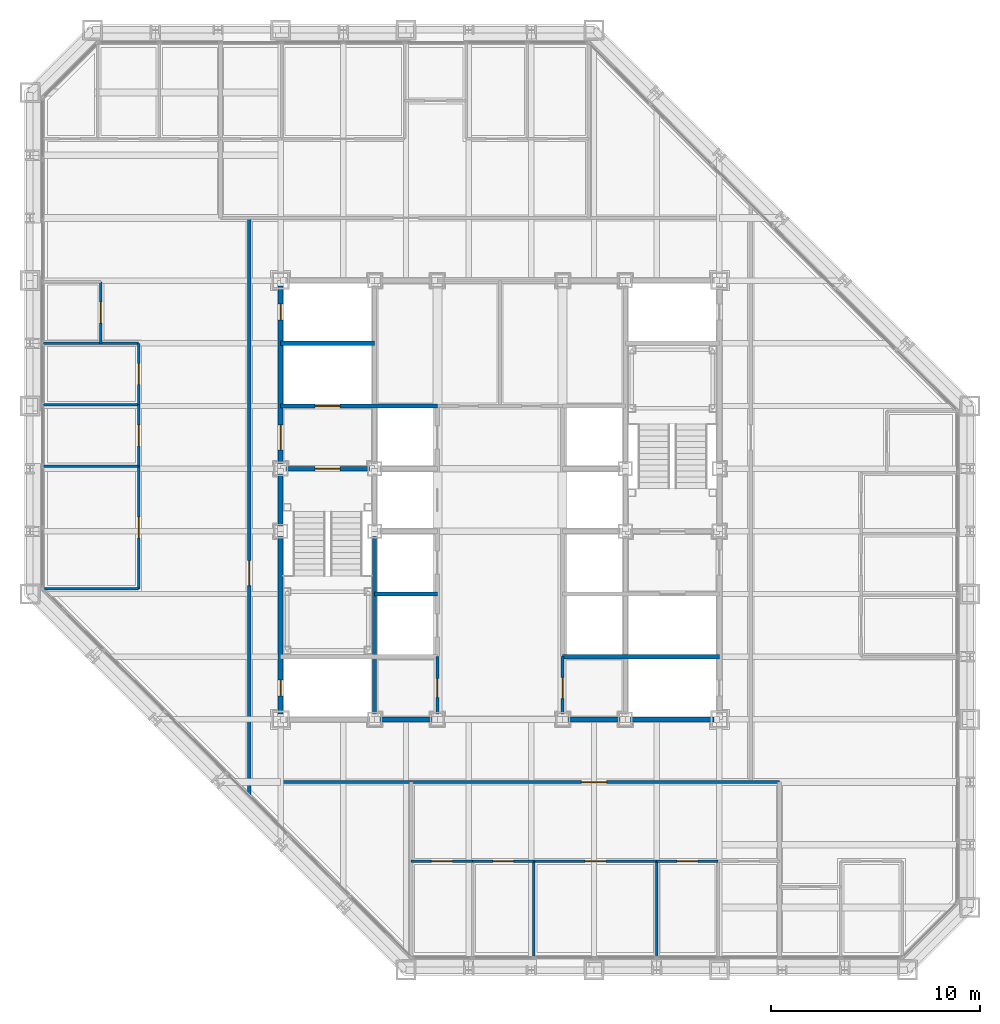
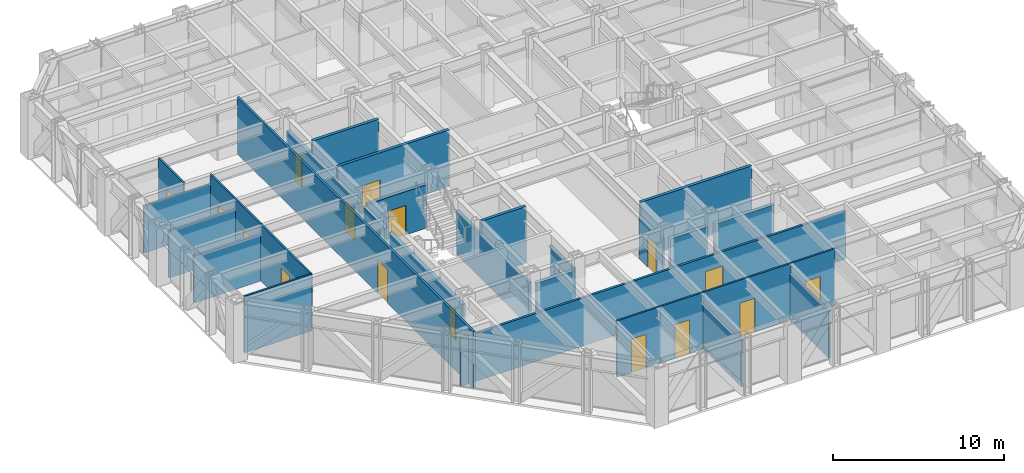
# One storey, part 10 of 16: 30 walls, 17 doors, 17 openings.
"""IFC4 building model written with IfcOpenShell, lengths in metres."""

from ifc_helpers import new_model, si_unit, direction, frame, frame_2d, origin, place, context, subcontext, project, spatial, rectangle, extrude, material, layer, layer_set, type_object, element, fill, save


model = new_model("IFC4")

# Units and contexts
model_context = context("Model", 3, precision=1e-05, world=origin(), true_north=direction((0.0, 1.0)))
body_context = subcontext(model_context, "Body", "Model", "MODEL_VIEW")
ifc_project = project(units=[si_unit("LENGTHUNIT", "METRE"), si_unit("AREAUNIT", "SQUARE_METRE"), si_unit("VOLUMEUNIT", "CUBIC_METRE"), si_unit("PLANEANGLEUNIT", "RADIAN"), si_unit("MASSUNIT", "GRAM", prefix="KILO")], contexts=[model_context])

# Site, building, storey
site_placement = place(None, origin())
site = spatial("IfcSite", under=ifc_project, at=site_placement, CompositionType="ELEMENT")
building_placement = place(site_placement, origin())
building = spatial("IfcBuilding", under=site, at=building_placement, Name="Chuquiago Exchange Tower", CompositionType="ELEMENT")
storey_placement = place(building_placement, frame((0.0, 0.0, 115.199951171875)))
storey = spatial("IfcBuildingStorey", under=building, at=storey_placement, Name="L24", CompositionType="ELEMENT", Elevation=115.199951171875)

# Wall, opening, door
ifc_material_1 = material(Name="Concrete masonry, fully grouted", Category="masonry")
ifc_layer_1 = layer(ifc_material_1, 0.25)
ifc_layer_set_1 = layer_set([ifc_layer_1], Name="W1 core wall 250")
wall_type_1 = type_object("IfcWallType", Name="W1 core wall 250", PredefinedType="SOLIDWALL", material=ifc_layer_set_1)
wall_1_placement = place(storey_placement, frame((12.0, 12.25, 0.0), z_axis=(0.0, 0.0, 1.0), x_axis=(0.0, 1.0, 0.0)))
wall_1 = element("IfcWall", 1, at=wall_1_placement, inside=storey, type_object=wall_type_1, Name="CW-L24-00-0", PredefinedType="SOLIDWALL", context=body_context, shape_type="SweptSolid", body=[
    extrude(rectangle(XDim=8.5, YDim=0.25, at=frame_2d((4.25, 0.0))), origin(), (0.0, 0.0, 1.0), 3.113037109375),
])
opening_1_placement = place(wall_1_placement, frame((0.875, 0.0, 0.0)))
opening_1 = element("IfcOpeningElement", 2, at=opening_1_placement, cuts=wall_1, Name="Opening L24-007", PredefinedType="OPENING", context=body_context, shape_type="SweptSolid", body=[
    extrude(rectangle(XDim=0.75, YDim=2.10009765625, at=frame_2d((0.375, 1.050048828125))), frame((0.0, 0.135009765625, 0.0), z_axis=(0.0, -1.0, 0.0), x_axis=(1.0, 0.0, 0.0)), (0.0, 0.0, 1.0), 0.27001953125),
])
ifc_material_2 = material(Name="Steel door, painted", Category="steel")
door_type_1 = type_object("IfcDoorType", Name="D6 riser access door 750x2100", OperationType="SINGLE_SWING_LEFT", PredefinedType="DOOR", material=ifc_material_2)
door_1_placement = place(opening_1_placement, frame((0.75, 0.0, 0.0), z_axis=(0.0, 0.0, 1.0), x_axis=(-1.0, 0.0, 0.0)))
door_1 = element("IfcDoor", 3, at=door_1_placement, inside=storey, type_object=door_type_1, Name="Riser RW1 door", OperationType="SINGLE_SWING_RIGHT", OverallHeight=2.10009765625, OverallWidth=0.75, PredefinedType="DOOR", context=body_context, shape_type="SweptSolid", body=[
    extrude(rectangle(XDim=0.75, YDim=2.10009765625, at=frame_2d((0.375, 1.050048828125))), frame((0.0, 0.02490234375, 0.0), z_axis=(0.0, -1.0, 0.0), x_axis=(1.0, 0.0, 0.0)), (0.0, 0.0, 1.0), 0.050048828125),
])
fill(opening_1, door_1)

# Wall
wall_2_placement = place(storey_placement, frame((12.0, 21.25, 0.0), z_axis=(0.0, 0.0, 1.0), x_axis=(0.0, 1.0, 0.0)))
element("IfcWall", 4, at=wall_2_placement, inside=storey, type_object=wall_type_1, Name="CW-L24-00-1", PredefinedType="SOLIDWALL", context=body_context, shape_type="SweptSolid", body=[
    extrude(rectangle(XDim=2.5, YDim=0.25, at=frame_2d((1.25, 0.0))), origin(), (0.0, 0.0, 1.0), 3.113037109375),
])

# Wall, openings, doors
wall_3_placement = place(storey_placement, frame((12.0, 24.25, 0.0), z_axis=(0.0, 0.0, 1.0), x_axis=(0.0, 1.0, 0.0)))
wall_3 = element("IfcWall", 5, at=wall_3_placement, inside=storey, type_object=wall_type_1, Name="CW-L24-00-2", PredefinedType="SOLIDWALL", context=body_context, shape_type="SweptSolid", body=[
    extrude(rectangle(XDim=8.5, YDim=0.25, at=frame_2d((4.25, 0.0))), origin(), (0.0, 0.0, 1.0), 3.113037109375),
])
opening_2_placement = place(wall_3_placement, frame((0.64990234375, 0.0, 0.0)))
opening_2 = element("IfcOpeningElement", 6, at=opening_2_placement, cuts=wall_3, Name="Opening L24-002", PredefinedType="OPENING", context=body_context, shape_type="SweptSolid", body=[
    extrude(rectangle(XDim=1.199951171875, YDim=2.10009765625, at=frame_2d((0.60009765625, 1.050048828125))), frame((0.0, 0.135009765625, 0.0), z_axis=(0.0, -1.0, 0.0), x_axis=(1.0, 0.0, 0.0)), (0.0, 0.0, 1.0), 0.27001953125),
])
opening_3_placement = place(wall_3_placement, frame((6.875, 0.0, 0.0)))
opening_3 = element("IfcOpeningElement", 7, at=opening_3_placement, cuts=wall_3, Name="Opening L24-008", PredefinedType="OPENING", context=body_context, shape_type="SweptSolid", body=[
    extrude(rectangle(XDim=0.75, YDim=2.10009765625, at=frame_2d((0.375, 1.050048828125))), frame((0.0, 0.135009765625, 0.0), z_axis=(0.0, -1.0, 0.0), x_axis=(1.0, 0.0, 0.0)), (0.0, 0.0, 1.0), 0.27001953125),
])
ifc_material_3 = material(Name="Steel door, painted", Category="steel")
door_type_2 = type_object("IfcDoorType", Name="D5 firefighting lobby door 1200x2100", OperationType="SINGLE_SWING_LEFT", PredefinedType="DOOR", material=ifc_material_3)
door_2_placement = place(opening_2_placement, frame((1.199951171875, 0.0, 0.0), z_axis=(0.0, 0.0, 1.0), x_axis=(-1.0, 0.0, 0.0)))
door_2 = element("IfcDoor", 8, at=door_2_placement, inside=storey, type_object=door_type_2, Name="Firefighting lobby 1 door", OperationType="SINGLE_SWING_RIGHT", OverallHeight=2.10009765625, OverallWidth=1.199951171875, PredefinedType="DOOR", context=body_context, shape_type="SweptSolid", body=[
    extrude(rectangle(XDim=1.199951171875, YDim=2.10009765625, at=frame_2d((0.60009765625, 1.050048828125))), frame((0.0, 0.02490234375, 0.0), z_axis=(0.0, -1.0, 0.0), x_axis=(1.0, 0.0, 0.0)), (0.0, 0.0, 1.0), 0.050048828125),
])
fill(opening_2, door_2)
door_3_placement = place(opening_3_placement, frame((0.75, 0.0, 0.0), z_axis=(0.0, 0.0, 1.0), x_axis=(-1.0, 0.0, 0.0)))
door_3 = element("IfcDoor", 9, at=door_3_placement, inside=storey, type_object=door_type_1, Name="Riser RW2 door", OperationType="SINGLE_SWING_LEFT", OverallHeight=2.10009765625, OverallWidth=0.75, PredefinedType="DOOR", context=body_context, shape_type="SweptSolid", body=[
    extrude(rectangle(XDim=0.75, YDim=2.10009765625, at=frame_2d((0.375, 1.050048828125))), frame((0.0, 0.02490234375, 0.0), z_axis=(0.0, -1.0, 0.0), x_axis=(1.0, 0.0, 0.0)), (0.0, 0.0, 1.0), 0.050048828125),
])
fill(opening_3, door_3)

# Walls
for number, where, z_axis, x_axis, name in (
    (10, (16.75, 12.0, 0.0), (0.0, 0.0, 1.0), (1.0, 0.0, 0.0), "CW-L24-01-1"),
    (11, (25.75, 12.0, 0.0), (0.0, 0.0, 1.0), (1.0, 0.0, 0.0), "CW-L24-02-0"),
):
    element("IfcWall", number, at=place(storey_placement, frame(where, z_axis=z_axis, x_axis=x_axis)), inside=storey, type_object=wall_type_1, Name=name, PredefinedType="SOLIDWALL", context=body_context, shape_type="SweptSolid", body=[
        extrude(rectangle(XDim=2.5, YDim=0.25, at=frame_2d((1.25, 0.0))), origin(), (0.0, 0.0, 1.0), 3.181640625),
    ])
wall_4_placement = place(storey_placement, frame((28.75, 12.0, 0.0), z_axis=(0.0, 0.0, 1.0), x_axis=(1.0, 0.0, 0.0)))
element("IfcWall", 12, at=wall_4_placement, inside=storey, type_object=wall_type_1, Name="CW-L24-02-1", PredefinedType="SOLIDWALL", context=body_context, shape_type="SweptSolid", body=[
    extrude(rectangle(XDim=4.0, YDim=0.25, at=frame_2d((2.0, 0.0))), origin(), (0.0, 0.0, 1.0), 3.181640625),
])

# Wall, opening, door
ifc_material_4 = material(Name="Gypsum board on steel studs, acoustic insulation", Category="steel")
ifc_layer_2 = layer(ifc_material_4, 0.14990234375)
ifc_layer_set_2 = layer_set([ifc_layer_2], Name="W11 corridor wall 150")
wall_type_2 = type_object("IfcWallType", Name="W11 corridor wall 150", PredefinedType="PARTITIONING", material=ifc_layer_set_2)
wall_5_placement = place(storey_placement, frame((9.885498046875, 9.0, 0.0), z_axis=(0.0, 0.0, 1.0), x_axis=(1.0, 0.0, 0.0)))
wall_5 = element("IfcWall", 13, at=wall_5_placement, inside=storey, type_object=wall_type_2, Name="PW-L24-CS", PredefinedType="PARTITIONING", context=body_context, shape_type="SweptSolid", body=[
    extrude(rectangle(XDim=25.990234375, YDim=0.14990234375, at=frame_2d((12.9951171875, 0.0))), origin(), (0.0, 0.0, 1.0), 3.427734375),
])
opening_4_placement = place(wall_5_placement, frame((16.514404296875, 0.0, 0.0)))
opening_4 = element("IfcOpeningElement", 14, at=opening_4_placement, cuts=wall_5, Name="Opening L24-042", PredefinedType="OPENING", context=body_context, shape_type="SweptSolid", body=[
    extrude(rectangle(XDim=1.199951171875, YDim=2.39990234375, at=frame_2d((0.60009765625, 1.199951171875))), frame((0.0, 0.0849609375, 0.0), z_axis=(0.0, -1.0, 0.0), x_axis=(1.0, 0.0, 0.0)), (0.0, 0.0, 1.0), 0.169921875),
])
ifc_material_5 = material(Name="Timber door, laminate faced", Category="wood")
door_type_3 = type_object("IfcDoorType", Name="D13 suite entrance door 1200x2400", OperationType="SINGLE_SWING_LEFT", PredefinedType="DOOR", material=ifc_material_5)
door_4_placement = place(opening_4_placement, frame((1.199951171875, 0.0, 0.0), z_axis=(0.0, 0.0, 1.0), x_axis=(-1.0, 0.0, 0.0)))
door_4 = element("IfcDoor", 15, at=door_4_placement, inside=storey, type_object=door_type_3, Name="South suite entrance door", OperationType="SINGLE_SWING_LEFT", OverallHeight=2.39990234375, OverallWidth=1.199951171875, PredefinedType="DOOR", context=body_context, shape_type="SweptSolid", body=[
    extrude(rectangle(XDim=1.199951171875, YDim=2.39990234375, at=frame_2d((0.60009765625, 1.199951171875))), frame((0.0, 0.02490234375, 0.0), z_axis=(0.0, -1.0, 0.0), x_axis=(1.0, 0.0, 0.0)), (0.0, 0.0, 1.0), 0.050048828125),
])
fill(opening_4, door_4)

wall_6_placement = place(storey_placement, frame((10.5, 8.385498046875, 0.0), z_axis=(0.0, 0.0, 1.0), x_axis=(0.0, 1.0, 0.0)))
wall_6 = element("IfcWall", 16, at=wall_6_placement, inside=storey, type_object=wall_type_2, Name="PW-L24-CW", PredefinedType="PARTITIONING", context=body_context, shape_type="SweptSolid", body=[
    extrude(rectangle(XDim=27.614501953125, YDim=0.14990234375, at=frame_2d((13.80712890625, 0.0))), origin(), (0.0, 0.0, 1.0), 4.0400390625),
])
opening_5_placement = place(wall_6_placement, frame((10.014404296875, 0.0, 0.0)))
opening_5 = element("IfcOpeningElement", 17, at=opening_5_placement, cuts=wall_6, Name="Opening L24-044", PredefinedType="OPENING", context=body_context, shape_type="SweptSolid", body=[
    extrude(rectangle(XDim=1.199951171875, YDim=2.39990234375, at=frame_2d((0.60009765625, 1.199951171875))), frame((0.0, 0.0849609375, 0.0), z_axis=(0.0, -1.0, 0.0), x_axis=(1.0, 0.0, 0.0)), (0.0, 0.0, 1.0), 0.169921875),
])
door_5_placement = place(opening_5_placement, origin())
door_5 = element("IfcDoor", 18, at=door_5_placement, inside=storey, type_object=door_type_3, Name="West suite entrance door", OperationType="SINGLE_SWING_LEFT", OverallHeight=2.39990234375, OverallWidth=1.199951171875, PredefinedType="DOOR", context=body_context, shape_type="SweptSolid", body=[
    extrude(rectangle(XDim=1.199951171875, YDim=2.39990234375, at=frame_2d((0.60009765625, 1.199951171875))), frame((0.0, 0.02490234375, 0.0), z_axis=(0.0, -1.0, 0.0), x_axis=(1.0, 0.0, 0.0)), (0.0, 0.0, 1.0), 0.050048828125),
])
fill(opening_5, door_5)

# Wall
ifc_material_6 = material(Name="Concrete masonry, fully grouted", Category="masonry")
ifc_layer_3 = layer(ifc_material_6, 0.199951171875)
ifc_layer_set_3 = layer_set([ifc_layer_3], Name="W2 shaft wall 200")
wall_type_3 = type_object("IfcWallType", Name="W2 shaft wall 200", PredefinedType="SOLIDWALL", material=ifc_layer_set_3)
wall_7_placement = place(storey_placement, frame((25.5, 15.0, 0.0), z_axis=(0.0, 0.0, 1.0), x_axis=(1.0, 0.0, 0.0)))
element("IfcWall", 19, at=wall_7_placement, inside=storey, type_object=wall_type_3, Name="CW-L24-04-0", PredefinedType="SOLIDWALL", context=body_context, shape_type="SweptSolid", body=[
    extrude(rectangle(XDim=7.5, YDim=0.199951171875, at=frame_2d((3.75, 0.0))), origin(), (0.0, 0.0, 1.0), 4.0400390625),
])

# Wall, opening, door
wall_8_placement = place(storey_placement, frame((12.25, 24.0, 0.0), z_axis=(0.0, 0.0, 1.0), x_axis=(1.0, 0.0, 0.0)))
wall_8 = element("IfcWall", 20, at=wall_8_placement, inside=storey, type_object=wall_type_3, Name="CW-L24-05-0", PredefinedType="SOLIDWALL", context=body_context, shape_type="SweptSolid", body=[
    extrude(rectangle(XDim=4.0, YDim=0.199951171875, at=frame_2d((2.0, 0.0))), origin(), (0.0, 0.0, 1.0), 3.090087890625),
])
opening_6_placement = place(wall_8_placement, frame((1.39990234375, 0.0, 0.0)))
opening_6 = element("IfcOpeningElement", 21, at=opening_6_placement, cuts=wall_8, Name="Opening L24-001", PredefinedType="OPENING", context=body_context, shape_type="SweptSolid", body=[
    extrude(rectangle(XDim=1.199951171875, YDim=2.10009765625, at=frame_2d((0.60009765625, 1.050048828125))), frame((0.0, 0.10986328125, 0.0), z_axis=(0.0, -1.0, 0.0), x_axis=(1.0, 0.0, 0.0)), (0.0, 0.0, 1.0), 0.219970703125),
])
ifc_material_7 = material(Name="Steel door, painted", Category="steel")
door_type_4 = type_object("IfcDoorType", Name="D4 stair door 1200x2100", OperationType="SINGLE_SWING_LEFT", PredefinedType="DOOR", material=ifc_material_7)
door_6_placement = place(opening_6_placement, frame((1.199951171875, 0.0, 0.0), z_axis=(0.0, 0.0, 1.0), x_axis=(-1.0, 0.0, 0.0)))
door_6 = element("IfcDoor", 22, at=door_6_placement, inside=storey, type_object=door_type_4, Name="Stair ST1 door", OperationType="SINGLE_SWING_RIGHT", OverallHeight=2.10009765625, OverallWidth=1.199951171875, PredefinedType="DOOR", context=body_context, shape_type="SweptSolid", body=[
    extrude(rectangle(XDim=1.199951171875, YDim=2.10009765625, at=frame_2d((0.60009765625, 1.050048828125))), frame((0.0, 0.02490234375, 0.0), z_axis=(0.0, -1.0, 0.0), x_axis=(1.0, 0.0, 0.0)), (0.0, 0.0, 1.0), 0.050048828125),
])
fill(opening_6, door_6)

wall_9_placement = place(storey_placement, frame((12.0, 27.0, 0.0), z_axis=(0.0, 0.0, 1.0), x_axis=(1.0, 0.0, 0.0)))
wall_9 = element("IfcWall", 23, at=wall_9_placement, inside=storey, type_object=wall_type_3, Name="CW-L24-07-0", PredefinedType="SOLIDWALL", context=body_context, shape_type="SweptSolid", body=[
    extrude(rectangle(XDim=7.5, YDim=0.199951171875, at=frame_2d((3.75, 0.0))), origin(), (0.0, 0.0, 1.0), 4.0400390625),
])
opening_7_placement = place(wall_9_placement, frame((1.64990234375, 0.0, 0.0)))
opening_7 = element("IfcOpeningElement", 24, at=opening_7_placement, cuts=wall_9, Name="Opening L24-005", PredefinedType="OPENING", context=body_context, shape_type="SweptSolid", body=[
    extrude(rectangle(XDim=1.199951171875, YDim=2.10009765625, at=frame_2d((0.60009765625, 1.050048828125))), frame((0.0, 0.10986328125, 0.0), z_axis=(0.0, -1.0, 0.0), x_axis=(1.0, 0.0, 0.0)), (0.0, 0.0, 1.0), 0.219970703125),
])
ifc_material_8 = material(Name="Stainless steel lift landing door", Category="steel")
door_type_5 = type_object("IfcDoorType", Name="LD2 firefighting lift landing door 1200x2100", OperationType="DOUBLE_DOOR_SLIDING", PredefinedType="DOOR", material=ifc_material_8)
door_7_placement = place(opening_7_placement, origin())
door_7 = element("IfcDoor", 25, at=door_7_placement, inside=storey, type_object=door_type_5, Name="Firefighting lift FL1 landing door", OperationType="DOUBLE_DOOR_SLIDING", OverallHeight=2.10009765625, OverallWidth=1.199951171875, PredefinedType="DOOR", context=body_context, shape_type="SweptSolid", body=[
    extrude(rectangle(XDim=1.199951171875, YDim=2.10009765625, at=frame_2d((0.60009765625, 1.050048828125))), frame((0.0, 0.02490234375, 0.0), z_axis=(0.0, -1.0, 0.0), x_axis=(1.0, 0.0, 0.0)), (0.0, 0.0, 1.0), 0.050048828125),
])
fill(opening_7, door_7)

# Walls
wall_10_placement = place(storey_placement, frame((12.0, 30.0, 0.0), z_axis=(0.0, 0.0, 1.0), x_axis=(1.0, 0.0, 0.0)))
element("IfcWall", 26, at=wall_10_placement, inside=storey, type_object=wall_type_3, Name="CW-L24-09-0", PredefinedType="SOLIDWALL", context=body_context, shape_type="SweptSolid", body=[
    extrude(rectangle(XDim=4.5, YDim=0.199951171875, at=frame_2d((2.25, 0.0))), origin(), (0.0, 0.0, 1.0), 4.0400390625),
])
wall_11_placement = place(storey_placement, frame((16.5, 12.25, 0.0), z_axis=(0.0, 0.0, 1.0), x_axis=(0.0, 1.0, 0.0)))
element("IfcWall", 27, at=wall_11_placement, inside=storey, type_object=wall_type_3, Name="CW-L24-13-0", PredefinedType="SOLIDWALL", context=body_context, shape_type="SweptSolid", body=[
    extrude(rectangle(XDim=8.5, YDim=0.199951171875, at=frame_2d((4.25, 0.0))), origin(), (0.0, 0.0, 1.0), 3.113037109375),
])
wall_12_placement = place(storey_placement, frame((16.5, 18.0, 0.0), z_axis=(0.0, 0.0, 1.0), x_axis=(1.0, 0.0, 0.0)))
element("IfcWall", 28, at=wall_12_placement, inside=storey, type_object=wall_type_3, Name="CW-L24-14-0", PredefinedType="SOLIDWALL", context=body_context, shape_type="SweptSolid", body=[
    extrude(rectangle(XDim=3.0, YDim=0.199951171875, at=frame_2d((1.5, 0.0))), origin(), (0.0, 0.0, 1.0), 4.0400390625),
])

# Wall, opening, door
ifc_material_9 = material(Name="Gypsum board on steel studs", Category="steel")
ifc_layer_4 = layer(ifc_material_9, 0.14990234375)
ifc_layer_set_4 = layer_set([ifc_layer_4], Name="W3 core partition 150")
wall_type_4 = type_object("IfcWallType", Name="W3 core partition 150", PredefinedType="PARTITIONING", material=ifc_layer_set_4)
wall_13_placement = place(storey_placement, frame((19.5, 12.25, 0.0), z_axis=(0.0, 0.0, 1.0), x_axis=(0.0, 1.0, 0.0)))
wall_13 = element("IfcWall", 29, at=wall_13_placement, inside=storey, type_object=wall_type_4, Name="CW-L24-18-0", PredefinedType="PARTITIONING", context=body_context, shape_type="SweptSolid", body=[
    extrude(rectangle(XDim=2.75, YDim=0.14990234375, at=frame_2d((1.375, 0.0))), origin(), (0.0, 0.0, 1.0), 3.064697265625),
])
opening_8_placement = place(wall_13_placement, frame((0.800048828125, 0.0, 0.0)))
opening_8 = element("IfcOpeningElement", 30, at=opening_8_placement, cuts=wall_13, Name="Opening L24-014", PredefinedType="OPENING", context=body_context, shape_type="SweptSolid", body=[
    extrude(rectangle(XDim=0.89990234375, YDim=2.10009765625, at=frame_2d((0.449951171875, 1.050048828125))), frame((0.0, 0.0849609375, 0.0), z_axis=(0.0, -1.0, 0.0), x_axis=(1.0, 0.0, 0.0)), (0.0, 0.0, 1.0), 0.169921875),
])
ifc_material_10 = material(Name="Timber door, laminate faced", Category="wood")
door_type_6 = type_object("IfcDoorType", Name="D7 toilet door 900x2100", OperationType="SINGLE_SWING_LEFT", PredefinedType="DOOR", material=ifc_material_10)
door_8_placement = place(opening_8_placement, frame((0.89990234375, 0.0, 0.0), z_axis=(0.0, 0.0, 1.0), x_axis=(-1.0, 0.0, 0.0)))
door_8 = element("IfcDoor", 31, at=door_8_placement, inside=storey, type_object=door_type_6, Name="Cleaner door", OperationType="SINGLE_SWING_RIGHT", OverallHeight=2.10009765625, OverallWidth=0.89990234375, PredefinedType="DOOR", context=body_context, shape_type="SweptSolid", body=[
    extrude(rectangle(XDim=0.89990234375, YDim=2.10009765625, at=frame_2d((0.449951171875, 1.050048828125))), frame((0.0, 0.02490234375, 0.0), z_axis=(0.0, -1.0, 0.0), x_axis=(1.0, 0.0, 0.0)), (0.0, 0.0, 1.0), 0.050048828125),
])
fill(opening_8, door_8)

wall_14_placement = place(storey_placement, frame((25.5, 12.25, 0.0), z_axis=(0.0, 0.0, 1.0), x_axis=(0.0, 1.0, 0.0)))
wall_14 = element("IfcWall", 32, at=wall_14_placement, inside=storey, type_object=wall_type_4, Name="CW-L24-21-0", PredefinedType="PARTITIONING", context=body_context, shape_type="SweptSolid", body=[
    extrude(rectangle(XDim=2.75, YDim=0.14990234375, at=frame_2d((1.375, 0.0))), origin(), (0.0, 0.0, 1.0), 3.064697265625),
])
opening_9_placement = place(wall_14_placement, frame((0.75, 0.0, 0.0)))
opening_9 = element("IfcOpeningElement", 33, at=opening_9_placement, cuts=wall_14, Name="Opening L24-013", PredefinedType="OPENING", context=body_context, shape_type="SweptSolid", body=[
    extrude(rectangle(XDim=1.0, YDim=2.10009765625, at=frame_2d((0.5, 1.050048828125))), frame((0.0, 0.0849609375, 0.0), z_axis=(0.0, -1.0, 0.0), x_axis=(1.0, 0.0, 0.0)), (0.0, 0.0, 1.0), 0.169921875),
])
ifc_material_11 = material(Name="Timber door, laminate faced", Category="wood")
door_type_7 = type_object("IfcDoorType", Name="D8 accessible toilet door 1000x2100", OperationType="SLIDING_TO_LEFT", PredefinedType="DOOR", material=ifc_material_11)
door_9_placement = place(opening_9_placement, origin())
door_9 = element("IfcDoor", 34, at=door_9_placement, inside=storey, type_object=door_type_7, Name="Accessible WC door", OperationType="SLIDING_TO_LEFT", OverallHeight=2.10009765625, OverallWidth=1.0, PredefinedType="DOOR", context=body_context, shape_type="SweptSolid", body=[
    extrude(rectangle(XDim=1.0, YDim=2.10009765625, at=frame_2d((0.5, 1.050048828125))), frame((0.0, 0.02490234375, 0.0), z_axis=(0.0, -1.0, 0.0), x_axis=(1.0, 0.0, 0.0)), (0.0, 0.0, 1.0), 0.050048828125),
])
fill(opening_9, door_9)

# Walls
ifc_material_12 = material(Name="Gypsum board on steel studs", Category="steel")
ifc_layer_5 = layer(ifc_material_12, 0.1201171875)
ifc_layer_set_5 = layer_set([ifc_layer_5], Name="W4 partition 120")
wall_type_5 = type_object("IfcWallType", Name="W4 partition 120", PredefinedType="PARTITIONING", material=ifc_layer_set_5)
for number, where, z_axis, x_axis, name in (
    (35, (24.124267578125, 0.652587890625, 0.0), (0.0, 0.0, 1.0), (0.0, 1.0, 0.0), "PW-L24-S02412"),
    (36, (30.0, 0.652587890625, 0.0), (0.0, 0.0, 1.0), (0.0, 1.0, 0.0), "PW-L24-S03000"),
):
    element("IfcWall", number, at=place(storey_placement, frame(where, z_axis=z_axis, x_axis=x_axis)), inside=storey, type_object=wall_type_5, Name=name, PredefinedType="PARTITIONING", context=body_context, shape_type="SweptSolid", body=[
        extrude(rectangle(XDim=4.54736328125, YDim=0.1201171875, at=frame_2d((2.273681640625, 0.0))), origin(), (0.0, 0.0, 1.0), 3.35693359375),
    ])

# Wall, opening, door
wall_15_placement = place(storey_placement, frame((18.24853515625, 5.199951171875, 0.0), z_axis=(0.0, 0.0, 1.0), x_axis=(1.0, 0.0, 0.0)))
wall_15 = element("IfcWall", 37, at=wall_15_placement, inside=storey, type_object=wall_type_5, Name="PW-L24-SF01825", PredefinedType="PARTITIONING", context=body_context, shape_type="SweptSolid", body=[
    extrude(rectangle(XDim=2.937744140625, YDim=0.1201171875, at=frame_2d((1.46875, 0.0))), origin(), (0.0, 0.0, 1.0), 4.0400390625),
])
opening_10_placement = place(wall_15_placement, frame((0.968994140625, 0.0, 0.0)))
opening_10 = element("IfcOpeningElement", 38, at=opening_10_placement, cuts=wall_15, Name="Opening L24-019", PredefinedType="OPENING", context=body_context, shape_type="SweptSolid", body=[
    extrude(rectangle(XDim=1.0, YDim=2.39990234375, at=frame_2d((0.5, 1.199951171875))), frame((0.0, 0.070068359375, 0.0), z_axis=(0.0, -1.0, 0.0), x_axis=(1.0, 0.0, 0.0)), (0.0, 0.0, 1.0), 0.14013671875),
])
ifc_material_13 = material(Name="Timber door, laminate faced", Category="wood")
door_type_8 = type_object("IfcDoorType", Name="D9 room door 1000x2400", OperationType="SINGLE_SWING_LEFT", PredefinedType="DOOR", material=ifc_material_13)
door_10_placement = place(opening_10_placement, frame((1.0, 0.0, 0.0), z_axis=(0.0, 0.0, 1.0), x_axis=(-1.0, 0.0, 0.0)))
door_10 = element("IfcDoor", 39, at=door_10_placement, inside=storey, type_object=door_type_8, Name="Office door", OperationType="SINGLE_SWING_RIGHT", OverallHeight=2.39990234375, OverallWidth=1.0, PredefinedType="DOOR", context=body_context, shape_type="SweptSolid", body=[
    extrude(rectangle(XDim=1.0, YDim=2.39990234375, at=frame_2d((0.5, 1.199951171875))), frame((0.0, 0.02490234375, 0.0), z_axis=(0.0, -1.0, 0.0), x_axis=(1.0, 0.0, 0.0)), (0.0, 0.0, 1.0), 0.050048828125),
])
fill(opening_10, door_10)

wall_16_placement = place(storey_placement, frame((21.186279296875, 5.199951171875, 0.0), z_axis=(0.0, 0.0, 1.0), x_axis=(1.0, 0.0, 0.0)))
wall_16 = element("IfcWall", 40, at=wall_16_placement, inside=storey, type_object=wall_type_5, Name="PW-L24-SF02119", PredefinedType="PARTITIONING", context=body_context, shape_type="SweptSolid", body=[
    extrude(rectangle(XDim=2.93798828125, YDim=0.1201171875, at=frame_2d((1.468994140625, 0.0))), origin(), (0.0, 0.0, 1.0), 4.0400390625),
])
opening_11_placement = place(wall_16_placement, frame((0.968994140625, 0.0, 0.0)))
opening_11 = element("IfcOpeningElement", 41, at=opening_11_placement, cuts=wall_16, Name="Opening L24-020", PredefinedType="OPENING", context=body_context, shape_type="SweptSolid", body=[
    extrude(rectangle(XDim=1.0, YDim=2.39990234375, at=frame_2d((0.5, 1.199951171875))), frame((0.0, 0.070068359375, 0.0), z_axis=(0.0, -1.0, 0.0), x_axis=(1.0, 0.0, 0.0)), (0.0, 0.0, 1.0), 0.14013671875),
])
door_11_placement = place(opening_11_placement, frame((1.0, 0.0, 0.0), z_axis=(0.0, 0.0, 1.0), x_axis=(-1.0, 0.0, 0.0)))
door_11 = element("IfcDoor", 42, at=door_11_placement, inside=storey, type_object=door_type_8, Name="Office door", OperationType="SINGLE_SWING_LEFT", OverallHeight=2.39990234375, OverallWidth=1.0, PredefinedType="DOOR", context=body_context, shape_type="SweptSolid", body=[
    extrude(rectangle(XDim=1.0, YDim=2.39990234375, at=frame_2d((0.5, 1.199951171875))), frame((0.0, 0.02490234375, 0.0), z_axis=(0.0, -1.0, 0.0), x_axis=(1.0, 0.0, 0.0)), (0.0, 0.0, 1.0), 0.050048828125),
])
fill(opening_11, door_11)

wall_17_placement = place(storey_placement, frame((24.124267578125, 5.199951171875, 0.0), z_axis=(0.0, 0.0, 1.0), x_axis=(1.0, 0.0, 0.0)))
wall_17 = element("IfcWall", 43, at=wall_17_placement, inside=storey, type_object=wall_type_5, Name="PW-L24-SF02412", PredefinedType="PARTITIONING", context=body_context, shape_type="SweptSolid", body=[
    extrude(rectangle(XDim=5.875732421875, YDim=0.1201171875, at=frame_2d((2.93798828125, 0.0))), origin(), (0.0, 0.0, 1.0), 4.0400390625),
])
opening_12_placement = place(wall_17_placement, frame((2.437744140625, 0.0, 0.0)))
opening_12 = element("IfcOpeningElement", 44, at=opening_12_placement, cuts=wall_17, Name="Opening L24-021", PredefinedType="OPENING", context=body_context, shape_type="SweptSolid", body=[
    extrude(rectangle(XDim=1.0, YDim=2.39990234375, at=frame_2d((0.5, 1.199951171875))), frame((0.0, 0.070068359375, 0.0), z_axis=(0.0, -1.0, 0.0), x_axis=(1.0, 0.0, 0.0)), (0.0, 0.0, 1.0), 0.14013671875),
])
ifc_material_14 = material(Name="Timber frame door, full height glazed panel", Category="wood")
door_type_9 = type_object("IfcDoorType", Name="D14 glazed meeting room door 1000x2400", OperationType="SINGLE_SWING_LEFT", PredefinedType="DOOR", material=ifc_material_14)
door_12_placement = place(opening_12_placement, frame((1.0, 0.0, 0.0), z_axis=(0.0, 0.0, 1.0), x_axis=(-1.0, 0.0, 0.0)))
door_12 = element("IfcDoor", 45, at=door_12_placement, inside=storey, type_object=door_type_9, Name="Meeting room door", OperationType="SINGLE_SWING_RIGHT", OverallHeight=2.39990234375, OverallWidth=1.0, PredefinedType="DOOR", context=body_context, shape_type="SweptSolid", body=[
    extrude(rectangle(XDim=1.0, YDim=2.39990234375, at=frame_2d((0.5, 1.199951171875))), frame((0.0, 0.02490234375, 0.0), z_axis=(0.0, -1.0, 0.0), x_axis=(1.0, 0.0, 0.0)), (0.0, 0.0, 1.0), 0.050048828125),
])
fill(opening_12, door_12)

wall_18_placement = place(storey_placement, frame((30.0, 5.199951171875, 0.0), z_axis=(0.0, 0.0, 1.0), x_axis=(1.0, 0.0, 0.0)))
wall_18 = element("IfcWall", 46, at=wall_18_placement, inside=storey, type_object=wall_type_5, Name="PW-L24-SF03000", PredefinedType="PARTITIONING", context=body_context, shape_type="SweptSolid", body=[
    extrude(rectangle(XDim=2.93798828125, YDim=0.1201171875, at=frame_2d((1.468994140625, 0.0))), origin(), (0.0, 0.0, 1.0), 4.0400390625),
])
opening_13_placement = place(wall_18_placement, frame((0.968994140625, 0.0, 0.0)))
opening_13 = element("IfcOpeningElement", 47, at=opening_13_placement, cuts=wall_18, Name="Opening L24-022", PredefinedType="OPENING", context=body_context, shape_type="SweptSolid", body=[
    extrude(rectangle(XDim=1.0, YDim=2.39990234375, at=frame_2d((0.5, 1.199951171875))), frame((0.0, 0.070068359375, 0.0), z_axis=(0.0, -1.0, 0.0), x_axis=(1.0, 0.0, 0.0)), (0.0, 0.0, 1.0), 0.14013671875),
])
door_13_placement = place(opening_13_placement, frame((1.0, 0.0, 0.0), z_axis=(0.0, 0.0, 1.0), x_axis=(-1.0, 0.0, 0.0)))
door_13 = element("IfcDoor", 48, at=door_13_placement, inside=storey, type_object=door_type_8, Name="Office door", OperationType="SINGLE_SWING_RIGHT", OverallHeight=2.39990234375, OverallWidth=1.0, PredefinedType="DOOR", context=body_context, shape_type="SweptSolid", body=[
    extrude(rectangle(XDim=1.0, YDim=2.39990234375, at=frame_2d((0.5, 1.199951171875))), frame((0.0, 0.02490234375, 0.0), z_axis=(0.0, -1.0, 0.0), x_axis=(1.0, 0.0, 0.0)), (0.0, 0.0, 1.0), 0.050048828125),
])
fill(opening_13, door_13)

# Walls
wall_19_placement = place(storey_placement, frame((0.666015625, 18.24853515625, 0.0), z_axis=(0.0, 0.0, 1.0), x_axis=(1.0, 0.0, 0.0)))
element("IfcWall", 49, at=wall_19_placement, inside=storey, type_object=wall_type_5, Name="PW-L24-W01825", PredefinedType="PARTITIONING", context=body_context, shape_type="SweptSolid", body=[
    extrude(rectangle(XDim=4.533935546875, YDim=0.1201171875, at=frame_2d((2.26708984375, 0.0))), origin(), (0.0, 0.0, 1.0), 4.0400390625),
])
for number, where, z_axis, x_axis, name in (
    (50, (0.652587890625, 24.124267578125, 0.0), (0.0, 0.0, 1.0), (1.0, 0.0, 0.0), "PW-L24-W02412"),
    (51, (0.652587890625, 27.06201171875, 0.0), (0.0, 0.0, 1.0), (1.0, 0.0, 0.0), "PW-L24-W02706"),
    (52, (0.652587890625, 30.0, 0.0), (0.0, 0.0, 1.0), (1.0, 0.0, 0.0), "PW-L24-W03000"),
):
    element("IfcWall", number, at=place(storey_placement, frame(where, z_axis=z_axis, x_axis=x_axis)), inside=storey, type_object=wall_type_5, Name=name, PredefinedType="PARTITIONING", context=body_context, shape_type="SweptSolid", body=[
        extrude(rectangle(XDim=4.54736328125, YDim=0.1201171875, at=frame_2d((2.273681640625, 0.0))), origin(), (0.0, 0.0, 1.0), 3.35693359375),
    ])

# Wall, opening, door
wall_20_placement = place(storey_placement, frame((5.199951171875, 18.24853515625, 0.0), z_axis=(0.0, 0.0, 1.0), x_axis=(0.0, 1.0, 0.0)))
wall_20 = element("IfcWall", 53, at=wall_20_placement, inside=storey, type_object=wall_type_5, Name="PW-L24-WF01825", PredefinedType="PARTITIONING", context=body_context, shape_type="SweptSolid", body=[
    extrude(rectangle(XDim=5.875732421875, YDim=0.1201171875, at=frame_2d((2.93798828125, 0.0))), origin(), (0.0, 0.0, 1.0), 4.0400390625),
])
opening_14_placement = place(wall_20_placement, frame((2.43798828125, 0.0, 0.0)))
opening_14 = element("IfcOpeningElement", 54, at=opening_14_placement, cuts=wall_20, Name="Opening L24-038", PredefinedType="OPENING", context=body_context, shape_type="SweptSolid", body=[
    extrude(rectangle(XDim=1.0, YDim=2.39990234375, at=frame_2d((0.5, 1.199951171875))), frame((0.0, 0.070068359375, 0.0), z_axis=(0.0, -1.0, 0.0), x_axis=(1.0, 0.0, 0.0)), (0.0, 0.0, 1.0), 0.14013671875),
])
door_14_placement = place(opening_14_placement, origin())
door_14 = element("IfcDoor", 55, at=door_14_placement, inside=storey, type_object=door_type_9, Name="Meeting room door", OperationType="SINGLE_SWING_LEFT", OverallHeight=2.39990234375, OverallWidth=1.0, PredefinedType="DOOR", context=body_context, shape_type="SweptSolid", body=[
    extrude(rectangle(XDim=1.0, YDim=2.39990234375, at=frame_2d((0.5, 1.199951171875))), frame((0.0, 0.02490234375, 0.0), z_axis=(0.0, -1.0, 0.0), x_axis=(1.0, 0.0, 0.0)), (0.0, 0.0, 1.0), 0.050048828125),
])
fill(opening_14, door_14)

wall_21_placement = place(storey_placement, frame((5.199951171875, 24.124267578125, 0.0), z_axis=(0.0, 0.0, 1.0), x_axis=(0.0, 1.0, 0.0)))
wall_21 = element("IfcWall", 56, at=wall_21_placement, inside=storey, type_object=wall_type_5, Name="PW-L24-WF02412", PredefinedType="PARTITIONING", context=body_context, shape_type="SweptSolid", body=[
    extrude(rectangle(XDim=2.937744140625, YDim=0.1201171875, at=frame_2d((1.46875, 0.0))), origin(), (0.0, 0.0, 1.0), 4.0400390625),
])
opening_15_placement = place(wall_21_placement, frame((0.968994140625, 0.0, 0.0)))
opening_15 = element("IfcOpeningElement", 57, at=opening_15_placement, cuts=wall_21, Name="Opening L24-039", PredefinedType="OPENING", context=body_context, shape_type="SweptSolid", body=[
    extrude(rectangle(XDim=1.0, YDim=2.39990234375, at=frame_2d((0.5, 1.199951171875))), frame((0.0, 0.070068359375, 0.0), z_axis=(0.0, -1.0, 0.0), x_axis=(1.0, 0.0, 0.0)), (0.0, 0.0, 1.0), 0.14013671875),
])
door_15_placement = place(opening_15_placement, origin())
door_15 = element("IfcDoor", 58, at=door_15_placement, inside=storey, type_object=door_type_8, Name="Office door", OperationType="SINGLE_SWING_RIGHT", OverallHeight=2.39990234375, OverallWidth=1.0, PredefinedType="DOOR", context=body_context, shape_type="SweptSolid", body=[
    extrude(rectangle(XDim=1.0, YDim=2.39990234375, at=frame_2d((0.5, 1.199951171875))), frame((0.0, 0.02490234375, 0.0), z_axis=(0.0, -1.0, 0.0), x_axis=(1.0, 0.0, 0.0)), (0.0, 0.0, 1.0), 0.050048828125),
])
fill(opening_15, door_15)

wall_22_placement = place(storey_placement, frame((5.199951171875, 27.06201171875, 0.0), z_axis=(0.0, 0.0, 1.0), x_axis=(0.0, 1.0, 0.0)))
wall_22 = element("IfcWall", 59, at=wall_22_placement, inside=storey, type_object=wall_type_5, Name="PW-L24-WF02706", PredefinedType="PARTITIONING", context=body_context, shape_type="SweptSolid", body=[
    extrude(rectangle(XDim=2.93798828125, YDim=0.1201171875, at=frame_2d((1.468994140625, 0.0))), origin(), (0.0, 0.0, 1.0), 4.0400390625),
])
opening_16_placement = place(wall_22_placement, frame((0.968994140625, 0.0, 0.0)))
opening_16 = element("IfcOpeningElement", 60, at=opening_16_placement, cuts=wall_22, Name="Opening L24-040", PredefinedType="OPENING", context=body_context, shape_type="SweptSolid", body=[
    extrude(rectangle(XDim=1.0, YDim=2.39990234375, at=frame_2d((0.5, 1.199951171875))), frame((0.0, 0.070068359375, 0.0), z_axis=(0.0, -1.0, 0.0), x_axis=(1.0, 0.0, 0.0)), (0.0, 0.0, 1.0), 0.14013671875),
])
door_16_placement = place(opening_16_placement, origin())
door_16 = element("IfcDoor", 61, at=door_16_placement, inside=storey, type_object=door_type_8, Name="Office door", OperationType="SINGLE_SWING_LEFT", OverallHeight=2.39990234375, OverallWidth=1.0, PredefinedType="DOOR", context=body_context, shape_type="SweptSolid", body=[
    extrude(rectangle(XDim=1.0, YDim=2.39990234375, at=frame_2d((0.5, 1.199951171875))), frame((0.0, 0.02490234375, 0.0), z_axis=(0.0, -1.0, 0.0), x_axis=(1.0, 0.0, 0.0)), (0.0, 0.0, 1.0), 0.050048828125),
])
fill(opening_16, door_16)

wall_23_placement = place(storey_placement, frame((3.39990234375, 30.0, 0.0), z_axis=(0.0, 0.0, 1.0), x_axis=(0.0, 1.0, 0.0)))
wall_23 = element("IfcWall", 62, at=wall_23_placement, inside=storey, type_object=wall_type_5, Name="PW-L24-WF03000", PredefinedType="PARTITIONING", context=body_context, shape_type="SweptSolid", body=[
    extrude(rectangle(XDim=2.93798828125, YDim=0.1201171875, at=frame_2d((1.468994140625, 0.0))), origin(), (0.0, 0.0, 1.0), 4.0400390625),
])
opening_17_placement = place(wall_23_placement, frame((0.968994140625, 0.0, 0.0)))
opening_17 = element("IfcOpeningElement", 63, at=opening_17_placement, cuts=wall_23, Name="Opening L24-041", PredefinedType="OPENING", context=body_context, shape_type="SweptSolid", body=[
    extrude(rectangle(XDim=1.0, YDim=2.39990234375, at=frame_2d((0.5, 1.199951171875))), frame((0.0, 0.070068359375, 0.0), z_axis=(0.0, -1.0, 0.0), x_axis=(1.0, 0.0, 0.0)), (0.0, 0.0, 1.0), 0.14013671875),
])
door_17_placement = place(opening_17_placement, origin())
door_17 = element("IfcDoor", 64, at=door_17_placement, inside=storey, type_object=door_type_9, Name="Focus room door", OperationType="SINGLE_SWING_LEFT", OverallHeight=2.39990234375, OverallWidth=1.0, PredefinedType="DOOR", context=body_context, shape_type="SweptSolid", body=[
    extrude(rectangle(XDim=1.0, YDim=2.39990234375, at=frame_2d((0.5, 1.199951171875))), frame((0.0, 0.02490234375, 0.0), z_axis=(0.0, -1.0, 0.0), x_axis=(1.0, 0.0, 0.0)), (0.0, 0.0, 1.0), 0.050048828125),
])
fill(opening_17, door_17)

save(model, "model.ifc")
